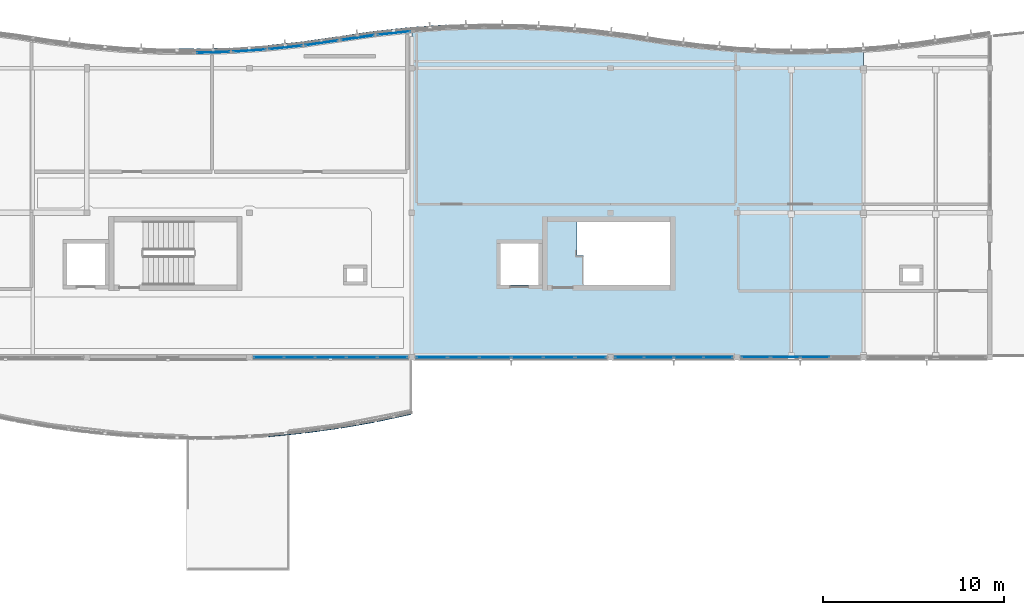
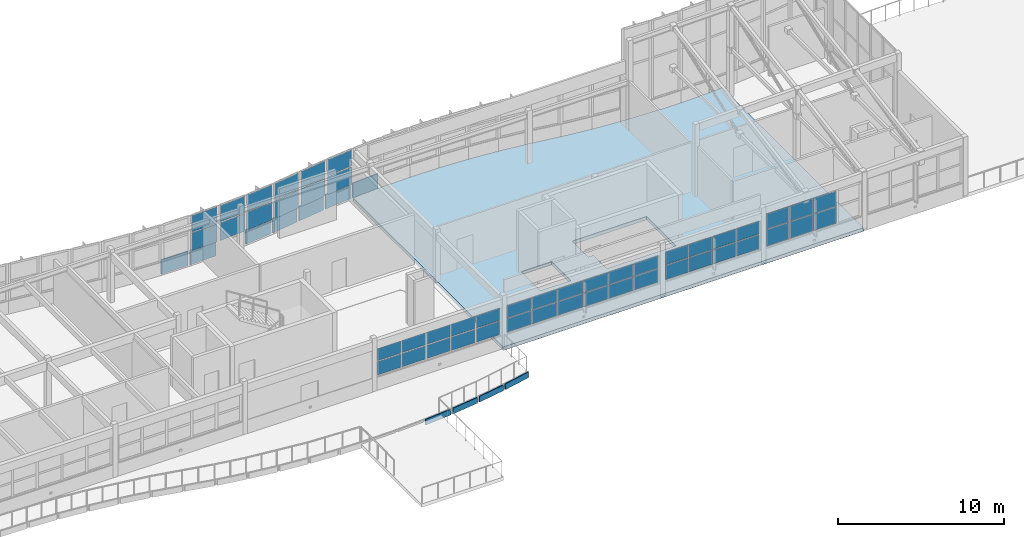
# One storey, part 17 of 33: 59 plates, 1 slab, 10 elements without a shape of their own.
"""IFC4 building model written with IfcOpenShell, lengths in metres."""

from ifc_helpers import new_model, si_unit, direction, frame, origin, origin_2d, place, context, subcontext, project, spatial, polyline, rectangle, outline, extrude, material, layer, layer_set, type_object, element, aggregate, save


model = new_model("IFC4")

# Units and contexts
model_context = context("Model", 3, precision=1e-05, world=origin(), true_north=direction((0.0, 1.0)))
body_context = subcontext(model_context, "Body", "Model", "MODEL_VIEW")
ifc_project = project(units=[si_unit("LENGTHUNIT", "METRE"), si_unit("AREAUNIT", "SQUARE_METRE"), si_unit("VOLUMEUNIT", "CUBIC_METRE"), si_unit("PLANEANGLEUNIT", "RADIAN"), si_unit("MASSUNIT", "GRAM", prefix="KILO")], contexts=[model_context])

# Site, building, storey
site_placement = place(None, origin())
site = spatial("IfcSite", under=ifc_project, at=site_placement, CompositionType="ELEMENT")
building_placement = place(site_placement, origin())
building = spatial("IfcBuilding", under=site, at=building_placement, Name="Tonlespit Floodbar School", CompositionType="ELEMENT")
storey_placement = place(building_placement, frame((0.0, 0.0, 16.199951171875)))
storey = spatial("IfcBuildingStorey", under=building, at=storey_placement, Name="L04", CompositionType="ELEMENT", Elevation=16.199951171875)

# Curtain wall, plates
ifc_material_1 = material(Name="Anodised Aluminium", Category="aluminium")
ifc_layer_1 = layer(ifc_material_1, 0.159912109375)
ifc_layer_set_1 = layer_set([ifc_layer_1], Name="Anodised Aluminium")
curtain_wall_type_1 = type_object("IfcCurtainWallType", Name="CurtainWall_1900x2700", PredefinedType="NOTDEFINED", material=ifc_layer_set_1)
curtain_wall_1_placement = place(storey_placement, origin())
curtain_wall_1 = element("IfcCurtainWall", 1, at=curtain_wall_1_placement, inside=storey, type_object=curtain_wall_type_1, Name="L04 unitised curtain wall 0197", PredefinedType="NOTDEFINED")
ifc_material_2 = material(Name="Laminated Low-E Glass", Category="glass")
ifc_layer_2 = layer(ifc_material_2, 0.028076171875)
ifc_layer_set_2 = layer_set([ifc_layer_2], Name="Laminated Low-E Glass")
plate_type_1 = type_object("IfcPlateType", Name="CW_Panel_Glaz_28", PredefinedType="CURTAIN_PANEL", material=ifc_layer_set_2)
plate_1_placement = place(storey_placement, frame((107.0, 120.978271484375, 1.01513671875), z_axis=(0.0, 0.0, 1.0), x_axis=(0.99773010165, 0.067339767311, 0.0)))
plate_1 = element("IfcPlate", 2, at=plate_1_placement, type_object=plate_type_1, Name="CW-05 panel 1.1", PredefinedType="CURTAIN_PANEL", context=body_context, shape_type="SweptSolid", body=[
    extrude(rectangle(XDim=1.794677734375, YDim=0.028076171875, at=origin_2d()), origin(), (0.0, 0.0, 1.0), 1.306396484375),
])
plate_2_placement = place(storey_placement, frame((107.0, 120.978271484375, 2.38671875), z_axis=(0.0, 0.0, 1.0), x_axis=(0.99773010165, 0.067339767311, 0.0)))
plate_2 = element("IfcPlate", 3, at=plate_2_placement, type_object=plate_type_1, Name="CW-05 panel 1.2", PredefinedType="CURTAIN_PANEL", context=body_context, shape_type="SweptSolid", body=[
    extrude(rectangle(XDim=1.794677734375, YDim=0.028076171875, at=origin_2d()), origin(), (0.0, 0.0, 1.0), 1.198486328125),
])
aggregate(curtain_wall_1, [plate_1, plate_2])

ifc_layer_3 = layer(ifc_material_1, 0.159912109375)
ifc_layer_set_3 = layer_set([ifc_layer_3], Name="Anodised Aluminium")
curtain_wall_type_2 = type_object("IfcCurtainWallType", Name="CurtainWall_1950x2700", PredefinedType="NOTDEFINED", material=ifc_layer_set_3)
curtain_wall_2_placement = place(storey_placement, origin())
curtain_wall_2 = element("IfcCurtainWall", 4, at=curtain_wall_2_placement, inside=storey, type_object=curtain_wall_type_2, Name="L04 unitised curtain wall 0201", PredefinedType="NOTDEFINED")
plate_3_placement = place(storey_placement, frame((115.0, 121.947998046875, 1.01513671875), z_axis=(0.0, 0.0, 1.0), x_axis=(0.994388797288, 0.105787143968, 0.0)))
plate_3 = element("IfcPlate", 5, at=plate_3_placement, type_object=plate_type_1, Name="CW-04 panel 1.1", PredefinedType="CURTAIN_PANEL", context=body_context, shape_type="SweptSolid", body=[
    extrude(rectangle(XDim=1.80126953125, YDim=0.028076171875, at=origin_2d()), origin(), (0.0, 0.0, 1.0), 1.306396484375),
])
plate_4_placement = place(storey_placement, frame((115.0, 121.947998046875, 2.38671875), z_axis=(0.0, 0.0, 1.0), x_axis=(0.994388797288, 0.105787143968, 0.0)))
plate_4 = element("IfcPlate", 6, at=plate_4_placement, type_object=plate_type_1, Name="CW-04 panel 1.2", PredefinedType="CURTAIN_PANEL", context=body_context, shape_type="SweptSolid", body=[
    extrude(rectangle(XDim=1.80126953125, YDim=0.028076171875, at=origin_2d()), origin(), (0.0, 0.0, 1.0), 1.198486328125),
])
aggregate(curtain_wall_2, [plate_3, plate_4])

ifc_layer_4 = layer(ifc_material_1, 0.159912109375)
ifc_layer_set_4 = layer_set([ifc_layer_4], Name="Anodised Aluminium")
curtain_wall_type_3 = type_object("IfcCurtainWallType", Name="CurtainWall_6600x2500", PredefinedType="NOTDEFINED", material=ifc_layer_set_4)
curtain_wall_3_placement = place(storey_placement, origin())
curtain_wall_3 = element("IfcCurtainWall", 7, at=curtain_wall_3_placement, inside=storey, type_object=curtain_wall_type_3, Name="L04 unitised curtain wall 0493", PredefinedType="NOTDEFINED")
plate_5_placement = place(storey_placement, frame((138.324951171875, 104.0, 1.014892578125), z_axis=(0.0, 0.0, 1.0), x_axis=(-1.0, 0.0, 0.0)))
plate_5 = element("IfcPlate", 8, at=plate_5_placement, type_object=plate_type_1, Name="CW-78 panel 2.1", PredefinedType="CURTAIN_PANEL", context=body_context, shape_type="SweptSolid", body=[
    extrude(rectangle(XDim=1.5849609375, YDim=0.028076171875, at=origin_2d()), origin(), (0.0, 0.0, 1.0), 1.19921875),
])
plate_6_placement = place(storey_placement, frame((138.324951171875, 104.0, 2.279296875), z_axis=(0.0, 0.0, 1.0), x_axis=(-1.0, 0.0, 0.0)))
plate_6 = element("IfcPlate", 9, at=plate_6_placement, type_object=plate_type_1, Name="CW-78 panel 2.2", PredefinedType="CURTAIN_PANEL", context=body_context, shape_type="SweptSolid", body=[
    extrude(rectangle(XDim=1.5849609375, YDim=0.028076171875, at=origin_2d()), origin(), (0.0, 0.0, 1.0), 1.099365234375),
])
plate_7_placement = place(storey_placement, frame((136.675048828125, 104.0, 1.014892578125), z_axis=(0.0, 0.0, 1.0), x_axis=(-1.0, 0.0, 0.0)))
plate_7 = element("IfcPlate", 10, at=plate_7_placement, type_object=plate_type_1, Name="CW-78 panel 3.1", PredefinedType="CURTAIN_PANEL", context=body_context, shape_type="SweptSolid", body=[
    extrude(rectangle(XDim=1.5849609375, YDim=0.028076171875, at=origin_2d()), origin(), (0.0, 0.0, 1.0), 1.19921875),
])
plate_8_placement = place(storey_placement, frame((136.675048828125, 104.0, 2.279296875), z_axis=(0.0, 0.0, 1.0), x_axis=(-1.0, 0.0, 0.0)))
plate_8 = element("IfcPlate", 11, at=plate_8_placement, type_object=plate_type_1, Name="CW-78 panel 3.2", PredefinedType="CURTAIN_PANEL", context=body_context, shape_type="SweptSolid", body=[
    extrude(rectangle(XDim=1.5849609375, YDim=0.028076171875, at=origin_2d()), origin(), (0.0, 0.0, 1.0), 1.099365234375),
])
plate_9_placement = place(storey_placement, frame((135.041259765625, 104.0, 1.014892578125), z_axis=(0.0, 0.0, 1.0), x_axis=(-1.0, 0.0, 0.0)))
plate_9 = element("IfcPlate", 12, at=plate_9_placement, type_object=plate_type_1, Name="CW-78 panel 4.1", PredefinedType="CURTAIN_PANEL", context=body_context, shape_type="SweptSolid", body=[
    extrude(rectangle(XDim=1.552490234375, YDim=0.028076171875, at=origin_2d()), origin(), (0.0, 0.0, 1.0), 1.19921875),
])
plate_10_placement = place(storey_placement, frame((135.041259765625, 104.0, 2.279296875), z_axis=(0.0, 0.0, 1.0), x_axis=(-1.0, 0.0, 0.0)))
plate_10 = element("IfcPlate", 13, at=plate_10_placement, type_object=plate_type_1, Name="CW-78 panel 4.2", PredefinedType="CURTAIN_PANEL", context=body_context, shape_type="SweptSolid", body=[
    extrude(rectangle(XDim=1.552490234375, YDim=0.028076171875, at=origin_2d()), origin(), (0.0, 0.0, 1.0), 1.099365234375),
])
aggregate(curtain_wall_3, [plate_5, plate_6, plate_7, plate_8, plate_9, plate_10])

curtain_wall_4_placement = place(storey_placement, origin())
curtain_wall_4 = element("IfcCurtainWall", 14, at=curtain_wall_4_placement, inside=storey, type_object=curtain_wall_type_2, Name="L04 unitised curtain wall 0198", PredefinedType="NOTDEFINED")
ifc_layer_5 = layer(ifc_material_2, 0.031982421875)
ifc_layer_set_5 = layer_set([ifc_layer_5], Name="Laminated Low-E Glass")
plate_type_2 = type_object("IfcPlateType", Name="CW_Panel_Glaz_32", PredefinedType="CURTAIN_PANEL", material=ifc_layer_set_5)
plate_11_placement = place(storey_placement, frame((109.0, 121.152099609375, 1.01513671875), z_axis=(0.0, 0.0, 1.0), x_axis=(0.994388797288, 0.105787143968, 0.0)))
plate_11 = element("IfcPlate", 15, at=plate_11_placement, type_object=plate_type_2, Name="CW-04 panel 1.1", PredefinedType="CURTAIN_PANEL", context=body_context, shape_type="SweptSolid", body=[
    extrude(rectangle(XDim=1.80126953125, YDim=0.031982421875, at=origin_2d()), origin(), (0.0, 0.0, 1.0), 1.306396484375),
])
plate_12_placement = place(storey_placement, frame((109.0, 121.152099609375, 2.38671875), z_axis=(0.0, 0.0, 1.0), x_axis=(0.994388797288, 0.105787143968, 0.0)))
plate_12 = element("IfcPlate", 16, at=plate_12_placement, type_object=plate_type_2, Name="CW-04 panel 1.2", PredefinedType="CURTAIN_PANEL", context=body_context, shape_type="SweptSolid", body=[
    extrude(rectangle(XDim=1.80126953125, YDim=0.031982421875, at=origin_2d()), origin(), (0.0, 0.0, 1.0), 1.198486328125),
])
aggregate(curtain_wall_4, [plate_11, plate_12])

ifc_layer_6 = layer(ifc_material_1, 0.159912109375)
ifc_layer_set_6 = layer_set([ifc_layer_6], Name="Anodised Aluminium")
curtain_wall_type_4 = type_object("IfcCurtainWallType", Name="CurtainWall_8600x2050", PredefinedType="NOTDEFINED", material=ifc_layer_set_6)
curtain_wall_5_placement = place(storey_placement, origin())
curtain_wall_5 = element("IfcCurtainWall", 17, at=curtain_wall_5_placement, inside=storey, type_object=curtain_wall_type_4, Name="L04 unitised curtain wall 0202", PredefinedType="NOTDEFINED")
plate_13_placement = place(storey_placement, frame((114.923828125, 104.0, 1.01513671875), z_axis=(0.0, 0.0, 1.0), x_axis=(-1.0, 0.0, 0.0)))
plate_13 = element("IfcPlate", 18, at=plate_13_placement, type_object=plate_type_2, Name="CW-08 panel 1.1", PredefinedType="CURTAIN_PANEL", context=body_context, shape_type="SweptSolid", body=[
    extrude(rectangle(XDim=1.62255859375, YDim=0.031982421875, at=origin_2d()), origin(), (0.0, 0.0, 1.0), 0.9736328125),
])
plate_14_placement = place(storey_placement, frame((114.923828125, 104.0, 2.0537109375), z_axis=(0.0, 0.0, 1.0), x_axis=(-1.0, 0.0, 0.0)))
plate_14 = element("IfcPlate", 19, at=plate_14_placement, type_object=plate_type_2, Name="CW-08 panel 1.2", PredefinedType="CURTAIN_PANEL", context=body_context, shape_type="SweptSolid", body=[
    extrude(rectangle(XDim=1.62255859375, YDim=0.031982421875, at=origin_2d()), origin(), (0.0, 0.0, 1.0), 0.891357421875),
])
plate_15_placement = place(storey_placement, frame((113.219970703125, 104.0, 1.01513671875), z_axis=(0.0, 0.0, 1.0), x_axis=(-1.0, 0.0, 0.0)))
plate_15 = element("IfcPlate", 20, at=plate_15_placement, type_object=plate_type_2, Name="CW-08 panel 2.1", PredefinedType="CURTAIN_PANEL", context=body_context, shape_type="SweptSolid", body=[
    extrude(rectangle(XDim=1.655029296875, YDim=0.031982421875, at=origin_2d()), origin(), (0.0, 0.0, 1.0), 0.9736328125),
])
plate_16_placement = place(storey_placement, frame((113.219970703125, 104.0, 2.0537109375), z_axis=(0.0, 0.0, 1.0), x_axis=(-1.0, 0.0, 0.0)))
plate_16 = element("IfcPlate", 21, at=plate_16_placement, type_object=plate_type_2, Name="CW-08 panel 2.2", PredefinedType="CURTAIN_PANEL", context=body_context, shape_type="SweptSolid", body=[
    extrude(rectangle(XDim=1.655029296875, YDim=0.031982421875, at=origin_2d()), origin(), (0.0, 0.0, 1.0), 0.891357421875),
])
plate_17_placement = place(storey_placement, frame((111.5, 104.0, 1.01513671875), z_axis=(0.0, 0.0, 1.0), x_axis=(-1.0, 0.0, 0.0)))
plate_17 = element("IfcPlate", 22, at=plate_17_placement, type_object=plate_type_2, Name="CW-08 panel 3.1", PredefinedType="CURTAIN_PANEL", context=body_context, shape_type="SweptSolid", body=[
    extrude(rectangle(XDim=1.655029296875, YDim=0.031982421875, at=origin_2d()), origin(), (0.0, 0.0, 1.0), 0.9736328125),
])
plate_18_placement = place(storey_placement, frame((111.5, 104.0, 2.0537109375), z_axis=(0.0, 0.0, 1.0), x_axis=(-1.0, 0.0, 0.0)))
plate_18 = element("IfcPlate", 23, at=plate_18_placement, type_object=plate_type_2, Name="CW-08 panel 3.2", PredefinedType="CURTAIN_PANEL", context=body_context, shape_type="SweptSolid", body=[
    extrude(rectangle(XDim=1.655029296875, YDim=0.031982421875, at=origin_2d()), origin(), (0.0, 0.0, 1.0), 0.891357421875),
])
plate_19_placement = place(storey_placement, frame((109.780029296875, 104.0, 1.01513671875), z_axis=(0.0, 0.0, 1.0), x_axis=(-1.0, 0.0, 0.0)))
plate_19 = element("IfcPlate", 24, at=plate_19_placement, type_object=plate_type_2, Name="CW-08 panel 4.1", PredefinedType="CURTAIN_PANEL", context=body_context, shape_type="SweptSolid", body=[
    extrude(rectangle(XDim=1.655029296875, YDim=0.031982421875, at=origin_2d()), origin(), (0.0, 0.0, 1.0), 0.9736328125),
])
plate_20_placement = place(storey_placement, frame((109.780029296875, 104.0, 2.0537109375), z_axis=(0.0, 0.0, 1.0), x_axis=(-1.0, 0.0, 0.0)))
plate_20 = element("IfcPlate", 25, at=plate_20_placement, type_object=plate_type_2, Name="CW-08 panel 4.2", PredefinedType="CURTAIN_PANEL", context=body_context, shape_type="SweptSolid", body=[
    extrude(rectangle(XDim=1.655029296875, YDim=0.031982421875, at=origin_2d()), origin(), (0.0, 0.0, 1.0), 0.891357421875),
])
plate_21_placement = place(storey_placement, frame((108.076171875, 104.0, 1.01513671875), z_axis=(0.0, 0.0, 1.0), x_axis=(-1.0, 0.0, 0.0)))
plate_21 = element("IfcPlate", 26, at=plate_21_placement, type_object=plate_type_2, Name="CW-08 panel 5.1", PredefinedType="CURTAIN_PANEL", context=body_context, shape_type="SweptSolid", body=[
    extrude(rectangle(XDim=1.62255859375, YDim=0.031982421875, at=origin_2d()), origin(), (0.0, 0.0, 1.0), 0.9736328125),
])
plate_22_placement = place(storey_placement, frame((108.076171875, 104.0, 2.0537109375), z_axis=(0.0, 0.0, 1.0), x_axis=(-1.0, 0.0, 0.0)))
plate_22 = element("IfcPlate", 27, at=plate_22_placement, type_object=plate_type_2, Name="CW-08 panel 5.2", PredefinedType="CURTAIN_PANEL", context=body_context, shape_type="SweptSolid", body=[
    extrude(rectangle(XDim=1.62255859375, YDim=0.031982421875, at=origin_2d()), origin(), (0.0, 0.0, 1.0), 0.891357421875),
])
aggregate(curtain_wall_5, [plate_13, plate_14, plate_15, plate_16, plate_17, plate_18, plate_19, plate_20, plate_21, plate_22])

ifc_layer_7 = layer(ifc_material_1, 0.159912109375)
ifc_layer_set_7 = layer_set([ifc_layer_7], Name="Anodised Aluminium")
curtain_wall_type_5 = type_object("IfcCurtainWallType", Name="CurtainWall_6600x2150", PredefinedType="NOTDEFINED", material=ifc_layer_set_7)
curtain_wall_6_placement = place(storey_placement, origin())
curtain_wall_6 = element("IfcCurtainWall", 28, at=curtain_wall_6_placement, inside=storey, type_object=curtain_wall_type_5, Name="L04 unitised curtain wall 0494", PredefinedType="NOTDEFINED")
plate_23_placement = place(storey_placement, frame((132.958740234375, 104.0, 1.01513671875), z_axis=(0.0, 0.0, 1.0), x_axis=(-1.0, 0.0, 0.0)))
plate_23 = element("IfcPlate", 29, at=plate_23_placement, type_object=plate_type_2, Name="CW-79 panel 1.1", PredefinedType="CURTAIN_PANEL", context=body_context, shape_type="SweptSolid", body=[
    extrude(rectangle(XDim=1.552490234375, YDim=0.031982421875, at=origin_2d()), origin(), (0.0, 0.0, 1.0), 1.015380859375),
])
plate_24_placement = place(storey_placement, frame((132.958740234375, 104.0, 2.095458984375), z_axis=(0.0, 0.0, 1.0), x_axis=(-1.0, 0.0, 0.0)))
plate_24 = element("IfcPlate", 30, at=plate_24_placement, type_object=plate_type_2, Name="CW-79 panel 1.2", PredefinedType="CURTAIN_PANEL", context=body_context, shape_type="SweptSolid", body=[
    extrude(rectangle(XDim=1.552490234375, YDim=0.031982421875, at=origin_2d()), origin(), (0.0, 0.0, 1.0), 0.9296875),
])
plate_25_placement = place(storey_placement, frame((131.324951171875, 104.0, 1.01513671875), z_axis=(0.0, 0.0, 1.0), x_axis=(-1.0, 0.0, 0.0)))
plate_25 = element("IfcPlate", 31, at=plate_25_placement, type_object=plate_type_2, Name="CW-79 panel 2.1", PredefinedType="CURTAIN_PANEL", context=body_context, shape_type="SweptSolid", body=[
    extrude(rectangle(XDim=1.5849609375, YDim=0.031982421875, at=origin_2d()), origin(), (0.0, 0.0, 1.0), 1.015380859375),
])
plate_26_placement = place(storey_placement, frame((131.324951171875, 104.0, 2.095458984375), z_axis=(0.0, 0.0, 1.0), x_axis=(-1.0, 0.0, 0.0)))
plate_26 = element("IfcPlate", 32, at=plate_26_placement, type_object=plate_type_2, Name="CW-79 panel 2.2", PredefinedType="CURTAIN_PANEL", context=body_context, shape_type="SweptSolid", body=[
    extrude(rectangle(XDim=1.5849609375, YDim=0.031982421875, at=origin_2d()), origin(), (0.0, 0.0, 1.0), 0.9296875),
])
plate_27_placement = place(storey_placement, frame((129.675048828125, 104.0, 1.01513671875), z_axis=(0.0, 0.0, 1.0), x_axis=(-1.0, 0.0, 0.0)))
plate_27 = element("IfcPlate", 33, at=plate_27_placement, type_object=plate_type_2, Name="CW-79 panel 3.1", PredefinedType="CURTAIN_PANEL", context=body_context, shape_type="SweptSolid", body=[
    extrude(rectangle(XDim=1.5849609375, YDim=0.031982421875, at=origin_2d()), origin(), (0.0, 0.0, 1.0), 1.015380859375),
])
plate_28_placement = place(storey_placement, frame((129.675048828125, 104.0, 2.095458984375), z_axis=(0.0, 0.0, 1.0), x_axis=(-1.0, 0.0, 0.0)))
plate_28 = element("IfcPlate", 34, at=plate_28_placement, type_object=plate_type_2, Name="CW-79 panel 3.2", PredefinedType="CURTAIN_PANEL", context=body_context, shape_type="SweptSolid", body=[
    extrude(rectangle(XDim=1.5849609375, YDim=0.031982421875, at=origin_2d()), origin(), (0.0, 0.0, 1.0), 0.9296875),
])
plate_29_placement = place(storey_placement, frame((128.041259765625, 104.0, 1.01513671875), z_axis=(0.0, 0.0, 1.0), x_axis=(-1.0, 0.0, 0.0)))
plate_29 = element("IfcPlate", 35, at=plate_29_placement, type_object=plate_type_2, Name="CW-79 panel 4.1", PredefinedType="CURTAIN_PANEL", context=body_context, shape_type="SweptSolid", body=[
    extrude(rectangle(XDim=1.552490234375, YDim=0.031982421875, at=origin_2d()), origin(), (0.0, 0.0, 1.0), 1.015380859375),
])
plate_30_placement = place(storey_placement, frame((128.041259765625, 104.0, 2.095458984375), z_axis=(0.0, 0.0, 1.0), x_axis=(-1.0, 0.0, 0.0)))
plate_30 = element("IfcPlate", 36, at=plate_30_placement, type_object=plate_type_2, Name="CW-79 panel 4.2", PredefinedType="CURTAIN_PANEL", context=body_context, shape_type="SweptSolid", body=[
    extrude(rectangle(XDim=1.552490234375, YDim=0.031982421875, at=origin_2d()), origin(), (0.0, 0.0, 1.0), 0.9296875),
])
aggregate(curtain_wall_6, [plate_23, plate_24, plate_25, plate_26, plate_27, plate_28, plate_29, plate_30])

curtain_wall_7_placement = place(storey_placement, origin())
curtain_wall_7 = element("IfcCurtainWall", 37, at=curtain_wall_7_placement, inside=storey, type_object=curtain_wall_type_2, Name="L04 unitised curtain wall 0199", PredefinedType="NOTDEFINED")
ifc_layer_8 = layer(ifc_material_2, 0.035888671875)
ifc_layer_set_8 = layer_set([ifc_layer_8], Name="Laminated Low-E Glass")
plate_type_3 = type_object("IfcPlateType", Name="CW_Panel_Glaz_36", PredefinedType="CURTAIN_PANEL", material=ifc_layer_set_8)
plate_31_placement = place(storey_placement, frame((111.0, 121.404296875, 1.01513671875), z_axis=(0.0, 0.0, 1.0), x_axis=(0.989541561858, 0.144248041079, 0.0)))
plate_31 = element("IfcPlate", 38, at=plate_31_placement, type_object=plate_type_3, Name="CW-04 panel 1.1", PredefinedType="CURTAIN_PANEL", context=body_context, shape_type="SweptSolid", body=[
    extrude(rectangle(XDim=1.81103515625, YDim=0.035888671875, at=origin_2d()), origin(), (0.0, 0.0, 1.0), 1.306396484375),
])
plate_32_placement = place(storey_placement, frame((111.0, 121.404296875, 2.38671875), z_axis=(0.0, 0.0, 1.0), x_axis=(0.989541561858, 0.144248041079, 0.0)))
plate_32 = element("IfcPlate", 39, at=plate_32_placement, type_object=plate_type_3, Name="CW-04 panel 1.2", PredefinedType="CURTAIN_PANEL", context=body_context, shape_type="SweptSolid", body=[
    extrude(rectangle(XDim=1.81103515625, YDim=0.035888671875, at=origin_2d()), origin(), (0.0, 0.0, 1.0), 1.198486328125),
])
aggregate(curtain_wall_7, [plate_31, plate_32])

ifc_layer_9 = layer(ifc_material_1, 0.159912109375)
ifc_layer_set_9 = layer_set([ifc_layer_9], Name="Anodised Aluminium")
curtain_wall_type_6 = type_object("IfcCurtainWallType", Name="CurtainWall_10600x2050", PredefinedType="NOTDEFINED", material=ifc_layer_set_9)
curtain_wall_8_placement = place(storey_placement, origin())
curtain_wall_8 = element("IfcCurtainWall", 40, at=curtain_wall_8_placement, inside=storey, type_object=curtain_wall_type_6, Name="L04 unitised curtain wall 0495", PredefinedType="NOTDEFINED")
plate_33_placement = place(storey_placement, frame((125.900390625, 104.0, 1.01513671875), z_axis=(0.0, 0.0, 1.0), x_axis=(-1.0, 0.0, 0.0)))
plate_33 = element("IfcPlate", 41, at=plate_33_placement, type_object=plate_type_3, Name="CW-80 panel 1.1", PredefinedType="CURTAIN_PANEL", context=body_context, shape_type="SweptSolid", body=[
    extrude(rectangle(XDim=1.669189453125, YDim=0.035888671875, at=origin_2d()), origin(), (0.0, 0.0, 1.0), 0.9736328125),
])
plate_34_placement = place(storey_placement, frame((125.900390625, 104.0, 2.0537109375), z_axis=(0.0, 0.0, 1.0), x_axis=(-1.0, 0.0, 0.0)))
plate_34 = element("IfcPlate", 42, at=plate_34_placement, type_object=plate_type_3, Name="CW-80 panel 1.2", PredefinedType="CURTAIN_PANEL", context=body_context, shape_type="SweptSolid", body=[
    extrude(rectangle(XDim=1.669189453125, YDim=0.035888671875, at=origin_2d()), origin(), (0.0, 0.0, 1.0), 0.891357421875),
])
plate_35_placement = place(storey_placement, frame((124.14990234375, 104.0, 1.01513671875), z_axis=(0.0, 0.0, 1.0), x_axis=(-1.0, 0.0, 0.0)))
plate_35 = element("IfcPlate", 43, at=plate_35_placement, type_object=plate_type_3, Name="CW-80 panel 2.1", PredefinedType="CURTAIN_PANEL", context=body_context, shape_type="SweptSolid", body=[
    extrude(rectangle(XDim=1.70166015625, YDim=0.035888671875, at=origin_2d()), origin(), (0.0, 0.0, 1.0), 0.9736328125),
])
plate_36_placement = place(storey_placement, frame((124.14990234375, 104.0, 2.0537109375), z_axis=(0.0, 0.0, 1.0), x_axis=(-1.0, 0.0, 0.0)))
plate_36 = element("IfcPlate", 44, at=plate_36_placement, type_object=plate_type_3, Name="CW-80 panel 2.2", PredefinedType="CURTAIN_PANEL", context=body_context, shape_type="SweptSolid", body=[
    extrude(rectangle(XDim=1.70166015625, YDim=0.035888671875, at=origin_2d()), origin(), (0.0, 0.0, 1.0), 0.891357421875),
])
plate_37_placement = place(storey_placement, frame((122.38330078125, 104.0, 1.01513671875), z_axis=(0.0, 0.0, 1.0), x_axis=(-1.0, 0.0, 0.0)))
plate_37 = element("IfcPlate", 45, at=plate_37_placement, type_object=plate_type_3, Name="CW-80 panel 3.1", PredefinedType="CURTAIN_PANEL", context=body_context, shape_type="SweptSolid", body=[
    extrude(rectangle(XDim=1.70166015625, YDim=0.035888671875, at=origin_2d()), origin(), (0.0, 0.0, 1.0), 0.9736328125),
])
plate_38_placement = place(storey_placement, frame((122.38330078125, 104.0, 2.0537109375), z_axis=(0.0, 0.0, 1.0), x_axis=(-1.0, 0.0, 0.0)))
plate_38 = element("IfcPlate", 46, at=plate_38_placement, type_object=plate_type_3, Name="CW-80 panel 3.2", PredefinedType="CURTAIN_PANEL", context=body_context, shape_type="SweptSolid", body=[
    extrude(rectangle(XDim=1.70166015625, YDim=0.035888671875, at=origin_2d()), origin(), (0.0, 0.0, 1.0), 0.891357421875),
])
plate_39_placement = place(storey_placement, frame((120.61669921875, 104.0, 1.01513671875), z_axis=(0.0, 0.0, 1.0), x_axis=(-1.0, 0.0, 0.0)))
plate_39 = element("IfcPlate", 47, at=plate_39_placement, type_object=plate_type_3, Name="CW-80 panel 4.1", PredefinedType="CURTAIN_PANEL", context=body_context, shape_type="SweptSolid", body=[
    extrude(rectangle(XDim=1.70166015625, YDim=0.035888671875, at=origin_2d()), origin(), (0.0, 0.0, 1.0), 0.9736328125),
])
plate_40_placement = place(storey_placement, frame((120.61669921875, 104.0, 2.0537109375), z_axis=(0.0, 0.0, 1.0), x_axis=(-1.0, 0.0, 0.0)))
plate_40 = element("IfcPlate", 48, at=plate_40_placement, type_object=plate_type_3, Name="CW-80 panel 4.2", PredefinedType="CURTAIN_PANEL", context=body_context, shape_type="SweptSolid", body=[
    extrude(rectangle(XDim=1.70166015625, YDim=0.035888671875, at=origin_2d()), origin(), (0.0, 0.0, 1.0), 0.891357421875),
])
plate_41_placement = place(storey_placement, frame((118.85009765625, 104.0, 1.01513671875), z_axis=(0.0, 0.0, 1.0), x_axis=(-1.0, 0.0, 0.0)))
plate_41 = element("IfcPlate", 49, at=plate_41_placement, type_object=plate_type_3, Name="CW-80 panel 5.1", PredefinedType="CURTAIN_PANEL", context=body_context, shape_type="SweptSolid", body=[
    extrude(rectangle(XDim=1.70166015625, YDim=0.035888671875, at=origin_2d()), origin(), (0.0, 0.0, 1.0), 0.9736328125),
])
plate_42_placement = place(storey_placement, frame((118.85009765625, 104.0, 2.0537109375), z_axis=(0.0, 0.0, 1.0), x_axis=(-1.0, 0.0, 0.0)))
plate_42 = element("IfcPlate", 50, at=plate_42_placement, type_object=plate_type_3, Name="CW-80 panel 5.2", PredefinedType="CURTAIN_PANEL", context=body_context, shape_type="SweptSolid", body=[
    extrude(rectangle(XDim=1.70166015625, YDim=0.035888671875, at=origin_2d()), origin(), (0.0, 0.0, 1.0), 0.891357421875),
])
plate_43_placement = place(storey_placement, frame((117.099609375, 104.0, 1.01513671875), z_axis=(0.0, 0.0, 1.0), x_axis=(-1.0, 0.0, 0.0)))
plate_43 = element("IfcPlate", 51, at=plate_43_placement, type_object=plate_type_3, Name="CW-80 panel 6.1", PredefinedType="CURTAIN_PANEL", context=body_context, shape_type="SweptSolid", body=[
    extrude(rectangle(XDim=1.669189453125, YDim=0.035888671875, at=origin_2d()), origin(), (0.0, 0.0, 1.0), 0.9736328125),
])
plate_44_placement = place(storey_placement, frame((117.099609375, 104.0, 2.0537109375), z_axis=(0.0, 0.0, 1.0), x_axis=(-1.0, 0.0, 0.0)))
plate_44 = element("IfcPlate", 52, at=plate_44_placement, type_object=plate_type_3, Name="CW-80 panel 6.2", PredefinedType="CURTAIN_PANEL", context=body_context, shape_type="SweptSolid", body=[
    extrude(rectangle(XDim=1.669189453125, YDim=0.035888671875, at=origin_2d()), origin(), (0.0, 0.0, 1.0), 0.891357421875),
])
aggregate(curtain_wall_8, [plate_33, plate_34, plate_35, plate_36, plate_37, plate_38, plate_39, plate_40, plate_41, plate_42, plate_43, plate_44])

curtain_wall_9_placement = place(storey_placement, origin())
curtain_wall_9 = element("IfcCurtainWall", 53, at=curtain_wall_9_placement, inside=storey, type_object=curtain_wall_type_1, Name="L04 unitised curtain wall 0196", PredefinedType="NOTDEFINED")
ifc_layer_10 = layer(ifc_material_2, 0.0419921875)
ifc_layer_set_10 = layer_set([ifc_layer_10], Name="Laminated Low-E Glass")
plate_type_4 = type_object("IfcPlateType", Name="CW_Panel_Glaz_42", PredefinedType="CURTAIN_PANEL", material=ifc_layer_set_10)
plate_45_placement = place(storey_placement, frame((105.0, 120.8818359375, 1.01513671875), z_axis=(0.0, 0.0, 1.0), x_axis=(0.999585477883, 0.028790144226, 0.0)))
plate_45 = element("IfcPlate", 54, at=plate_45_placement, type_object=plate_type_4, Name="CW-05 panel 1.1", PredefinedType="CURTAIN_PANEL", context=body_context, shape_type="SweptSolid", body=[
    extrude(rectangle(XDim=1.790771484375, YDim=0.0419921875, at=origin_2d()), origin(), (0.0, 0.0, 1.0), 1.306396484375),
])
plate_46_placement = place(storey_placement, frame((105.0, 120.8818359375, 2.38671875), z_axis=(0.0, 0.0, 1.0), x_axis=(0.999585477883, 0.028790144226, 0.0)))
plate_46 = element("IfcPlate", 55, at=plate_46_placement, type_object=plate_type_4, Name="CW-05 panel 1.2", PredefinedType="CURTAIN_PANEL", context=body_context, shape_type="SweptSolid", body=[
    extrude(rectangle(XDim=1.790771484375, YDim=0.0419921875, at=origin_2d()), origin(), (0.0, 0.0, 1.0), 1.198486328125),
])
aggregate(curtain_wall_9, [plate_45, plate_46])

curtain_wall_10_placement = place(storey_placement, origin())
curtain_wall_10 = element("IfcCurtainWall", 56, at=curtain_wall_10_placement, inside=storey, type_object=curtain_wall_type_2, Name="L04 unitised curtain wall 0200", PredefinedType="NOTDEFINED")
plate_47_placement = place(storey_placement, frame((113.0, 121.69580078125, 1.01513671875), z_axis=(0.0, 0.0, 1.0), x_axis=(0.989541561858, 0.144248041079, 0.0)))
plate_47 = element("IfcPlate", 57, at=plate_47_placement, type_object=plate_type_4, Name="CW-04 panel 1.1", PredefinedType="CURTAIN_PANEL", context=body_context, shape_type="SweptSolid", body=[
    extrude(rectangle(XDim=1.81103515625, YDim=0.0419921875, at=origin_2d()), origin(), (0.0, 0.0, 1.0), 1.306396484375),
])
plate_48_placement = place(storey_placement, frame((113.0, 121.69580078125, 2.38671875), z_axis=(0.0, 0.0, 1.0), x_axis=(0.989541561858, 0.144248041079, 0.0)))
plate_48 = element("IfcPlate", 58, at=plate_48_placement, type_object=plate_type_4, Name="CW-04 panel 1.2", PredefinedType="CURTAIN_PANEL", context=body_context, shape_type="SweptSolid", body=[
    extrude(rectangle(XDim=1.81103515625, YDim=0.0419921875, at=origin_2d()), origin(), (0.0, 0.0, 1.0), 1.198486328125),
])
aggregate(curtain_wall_10, [plate_47, plate_48])

# Plates
ifc_material_3 = material(Name="White Architectural Aluminium", Category="aluminium")
ifc_layer_11 = layer(ifc_material_3, 0.06494140625)
ifc_layer_set_11 = layer_set([ifc_layer_11], Name="White Architectural Aluminium")
plate_type_5 = type_object("IfcPlateType", Name="FacadeRibbon_White_65", PredefinedType="SHEET", material=ifc_layer_set_11)
plate_49_placement = place(storey_placement, frame((103.001708984375, 121.044677734375, -0.1201171875), z_axis=(0.0, 0.0, 1.0), x_axis=(0.999953926969, -0.009599163462, 0.0)))
element("IfcPlate", 59, at=plate_49_placement, inside=storey, type_object=plate_type_5, Name="L04 flowing white street spandrel ribbon 0326", PredefinedType="SHEET", context=body_context, shape_type="SweptSolid", body=[
    extrude(rectangle(XDim=1.840087890625, YDim=0.06494140625, at=origin_2d()), origin(), (0.0, 0.0, 1.0), 1.070068359375),
])
plate_50_placement = place(storey_placement, frame((104.994873046875, 121.063720703125, -0.1201171875), z_axis=(0.0, 0.0, 1.0), x_axis=(0.999584110869, 0.02883756748, 0.0)))
element("IfcPlate", 60, at=plate_50_placement, inside=storey, type_object=plate_type_5, Name="L04 flowing white street spandrel ribbon 0327", PredefinedType="SHEET", context=body_context, shape_type="SweptSolid", body=[
    extrude(rectangle(XDim=1.8408203125, YDim=0.06494140625, at=origin_2d()), origin(), (0.0, 0.0, 1.0), 1.070068359375),
])
plate_51_placement = place(storey_placement, frame((108.980712890625, 121.3330078125, -0.1201171875), z_axis=(0.0, 0.0, 1.0), x_axis=(0.99439234017, 0.105753835922, 0.0)))
element("IfcPlate", 61, at=plate_51_placement, inside=storey, type_object=plate_type_5, Name="L04 flowing white street spandrel ribbon 0329", PredefinedType="SHEET", context=body_context, shape_type="SweptSolid", body=[
    extrude(rectangle(XDim=1.851318359375, YDim=0.06494140625, at=origin_2d()), origin(), (0.0, 0.0, 1.0), 1.070068359375),
])
for number, where, z_axis, x_axis, name in (
    (62, (110.9736328125, 121.584228515625, -0.1201171875), (0.0, 0.0, 1.0), (0.989537627347, 0.144275029245, 0.0), "L04 flowing white street spandrel ribbon 0330"),
    (63, (112.9736328125, 121.8759765625, -0.1201171875), (0.0, 0.0, 1.0), (0.989537627347, 0.144275029245, 0.0), "L04 flowing white street spandrel ribbon 0331"),
):
    element("IfcPlate", number, at=place(storey_placement, frame(where, z_axis=z_axis, x_axis=x_axis)), inside=storey, type_object=plate_type_5, Name=name, PredefinedType="SHEET", context=body_context, shape_type="SweptSolid", body=[
        extrude(rectangle(XDim=1.861083984375, YDim=0.06494140625, at=origin_2d()), origin(), (0.0, 0.0, 1.0), 1.070068359375),
    ])
plate_52_placement = place(storey_placement, frame((114.980712890625, 122.12890625, -0.1201171875), z_axis=(0.0, 0.0, 1.0), x_axis=(0.99439234017, 0.105753835922, 0.0)))
element("IfcPlate", 64, at=plate_52_placement, inside=storey, type_object=plate_type_5, Name="L04 flowing white street spandrel ribbon 0332", PredefinedType="SHEET", context=body_context, shape_type="SweptSolid", body=[
    extrude(rectangle(XDim=1.851318359375, YDim=0.06494140625, at=origin_2d()), origin(), (0.0, 0.0, 1.0), 1.070068359375),
])
plate_53_placement = place(storey_placement, frame((109.0, 99.72509765625, -0.2998046875), z_axis=(0.0, 0.0, 1.0), x_axis=(0.995361841764, 0.096201891669, 0.0)))
element("IfcPlate", 65, at=plate_53_placement, inside=storey, type_object=plate_type_5, Name="L04 flowing white street spandrel ribbon 0376", PredefinedType="SHEET", context=body_context, shape_type="SweptSolid", body=[
    extrude(rectangle(XDim=1.849365234375, YDim=0.06494140625, at=origin_2d()), origin(), (0.0, 0.0, 1.0), 0.419921875),
])
plate_54_placement = place(storey_placement, frame((111.0, 99.957763671875, -0.2998046875), z_axis=(0.0, 0.0, 1.0), x_axis=(0.990898113281, 0.13461400037, 0.0)))
element("IfcPlate", 66, at=plate_54_placement, inside=storey, type_object=plate_type_5, Name="L04 flowing white street spandrel ribbon 0377", PredefinedType="SHEET", context=body_context, shape_type="SweptSolid", body=[
    extrude(rectangle(XDim=1.8583984375, YDim=0.06494140625, at=origin_2d()), origin(), (0.0, 0.0, 1.0), 0.419921875),
])
plate_55_placement = place(storey_placement, frame((113.0, 100.269287109375, -0.2998046875), z_axis=(0.0, 0.0, 1.0), x_axis=(0.984904884962, 0.17309641122, 0.0)))
element("IfcPlate", 67, at=plate_55_placement, inside=storey, type_object=plate_type_5, Name="L04 flowing white street spandrel ribbon 0378", PredefinedType="SHEET", context=body_context, shape_type="SweptSolid", body=[
    extrude(rectangle(XDim=1.87060546875, YDim=0.06494140625, at=origin_2d()), origin(), (0.0, 0.0, 1.0), 0.419921875),
])
plate_56_placement = place(storey_placement, frame((115.0, 100.66162109375, -0.2998046875), z_axis=(0.0, 0.0, 1.0), x_axis=(0.977356843161, 0.21159773422, 0.0)))
element("IfcPlate", 68, at=plate_56_placement, inside=storey, type_object=plate_type_5, Name="L04 flowing white street spandrel ribbon 0379", PredefinedType="SHEET", context=body_context, shape_type="SweptSolid", body=[
    extrude(rectangle(XDim=1.88623046875, YDim=0.06494140625, at=origin_2d()), origin(), (0.0, 0.0, 1.0), 0.419921875),
])
plate_57_placement = place(storey_placement, frame((116.98779296875, 122.303466796875, -0.1201171875), z_axis=(0.0, 0.0, 1.0), x_axis=(0.997729639049, 0.067346621018, 0.0)))
element("IfcPlate", 69, at=plate_57_placement, inside=storey, type_object=plate_type_5, Name="L04 flowing white street spandrel ribbon 0726", PredefinedType="SHEET", context=body_context, shape_type="SweptSolid", body=[
    extrude(rectangle(XDim=1.844482421875, YDim=0.06494140625, at=origin_2d()), origin(), (0.0, 0.0, 1.0), 1.070068359375),
])

# Slab
ifc_material_4 = material(Name="CLT C24", Category="wood")
ifc_layer_12 = layer(ifc_material_4, 0.2548828125)
ifc_layer_set_12 = layer_set([ifc_layer_12], Name="CLT C24")
slab_type = type_object("IfcSlabType", Name="Slab_Floor_CLT_220", PredefinedType="FLOOR", material=ifc_layer_set_12)
slab_placement = place(storey_placement, frame((0.0, 0.0, -0.2548828125)))
element("IfcSlab", 70, at=slab_placement, inside=storey, type_object=slab_type, Name="L04 V4 L04 west library slab", PredefinedType="FLOOR", context=body_context, shape_type="SweptSolid", body=[
    extrude(outline(polyline([(116.0, 104.0), (141.0, 104.0), (141.0, 120.968505859375), (138.916748046875, 120.869873046875), (136.833251953125, 120.85498046875), (134.75, 120.92333984375), (132.666748046875, 121.07568359375), (130.583251953125, 121.3125), (128.5, 121.63037109375), (126.416748046875, 121.91162109375), (124.333251953125, 122.10791015625), (122.25, 122.219970703125), (120.166748046875, 122.248291015625), (118.083251953125, 122.193115234375), (116.0, 122.05419921875), (116.0, 104.0)]), holes=[polyline([(125.5, 108.0), (130.300048828125, 108.0), (130.300048828125, 111.5400390625), (125.14501953125, 111.5400390625), (125.14501953125, 109.6201171875), (125.5, 109.6201171875), (125.5, 108.0)]), polyline([(120.89990234375, 108.0), (123.0, 108.0), (123.0, 110.300048828125), (120.89990234375, 110.300048828125), (120.89990234375, 108.0)])]), origin(), (0.0, 0.0, 1.0), 0.2548828125),
])

save(model, "model.ifc")
